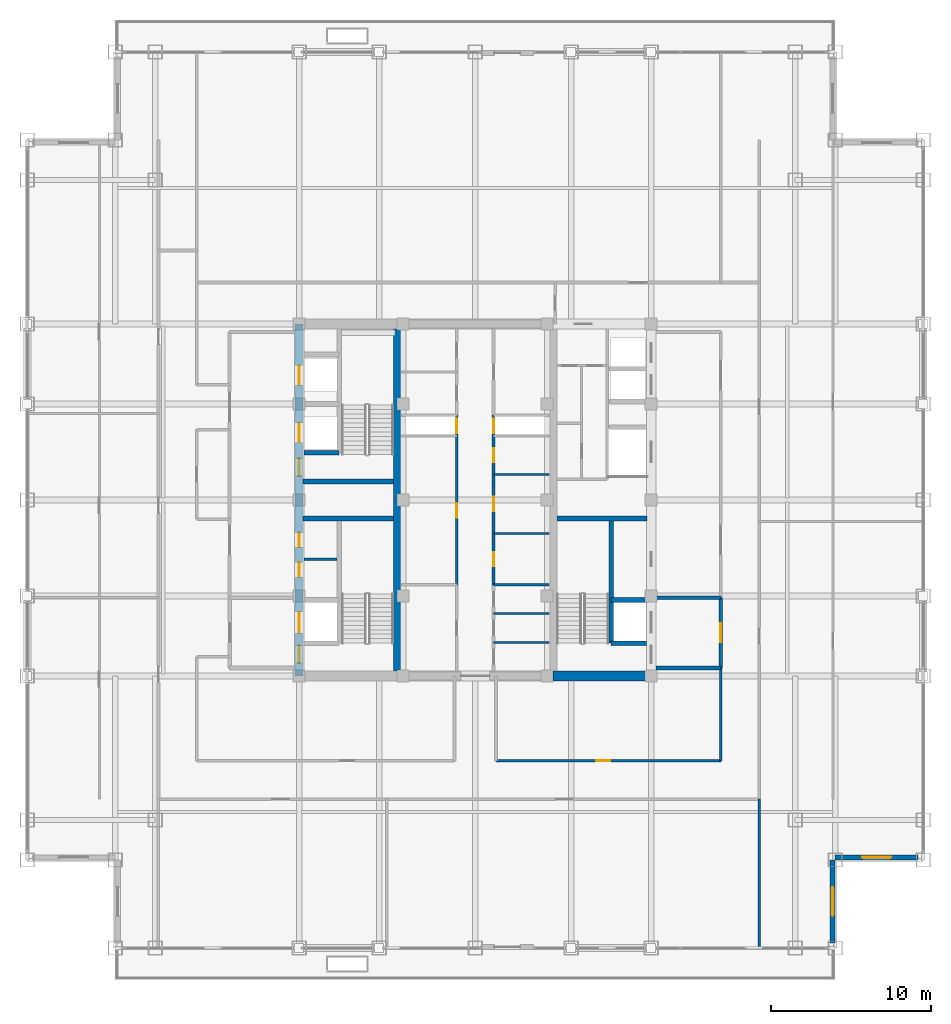
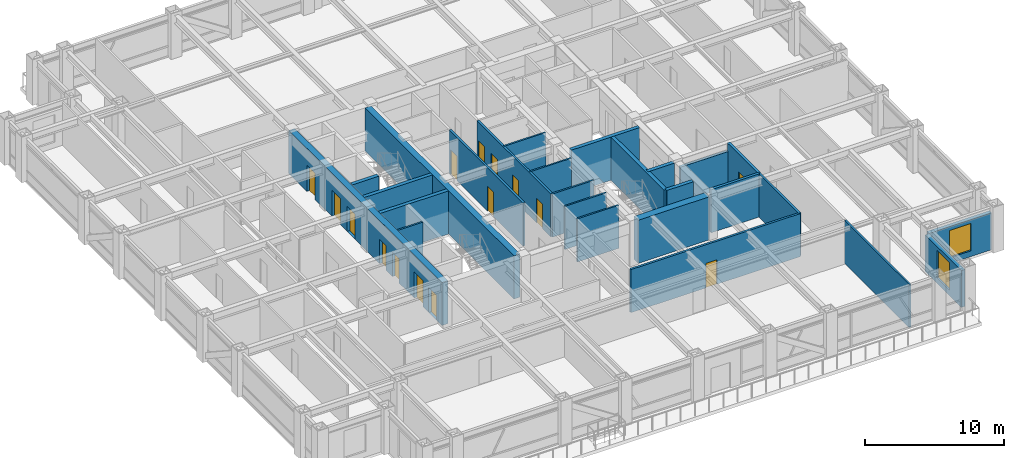
# One storey, part 27 of 32: 26 walls, 15 doors, 2 windows, 17 openings.
"""IFC4 building model written with IfcOpenShell, lengths in metres."""

from ifc_helpers import new_model, si_unit, direction, frame, frame_2d, origin, place, context, subcontext, project, spatial, rectangle, extrude, source, transform, mapped, material, layer, layer_set, type_object, element, fill, save


model = new_model("IFC4")

# Units and contexts
model_context = context("Model", 3, precision=1e-05, world=origin(), true_north=direction((0.0, 1.0)))
body_context = subcontext(model_context, "Body", "Model", "MODEL_VIEW")
ifc_project = project(units=[si_unit("LENGTHUNIT", "METRE"), si_unit("AREAUNIT", "SQUARE_METRE"), si_unit("VOLUMEUNIT", "CUBIC_METRE"), si_unit("PLANEANGLEUNIT", "RADIAN"), si_unit("MASSUNIT", "GRAM", prefix="KILO")], contexts=[model_context])

# Site, building, storey
site_placement = place(None, origin())
site = spatial("IfcSite", under=ifc_project, at=site_placement, CompositionType="ELEMENT")
building_placement = place(site_placement, origin())
building = spatial("IfcBuilding", under=site, at=building_placement, Name="Khorayat Bourse Tower", CompositionType="ELEMENT")
storey_placement = place(building_placement, frame((0.0, 0.0, 273.5)))
storey = spatial("IfcBuildingStorey", under=building, at=storey_placement, Name="L64", CompositionType="ELEMENT", Elevation=273.5)

# Wall, openings, doors
ifc_material_1 = material(Name="Concrete C52/65", Category="concrete")
ifc_layer_1 = layer(ifc_material_1, 0.5)
ifc_layer_set_1 = layer_set([ifc_layer_1], Name="Concrete C52/65")
wall_type_1 = type_object("IfcWallType", Name="WAL-CORE-500", PredefinedType="SHEAR", material=ifc_layer_set_1)
shared_shape_1 = source(origin(), body_context, "Body", "SweptSolid", [
    extrude(rectangle(XDim=22.0, YDim=0.5, at=frame_2d((11.0, 0.0))), origin(), (0.0, 0.0, 1.0), 3.780029296875),
])
wall_1_placement = place(storey_placement, frame((-11.0, -11.0, 0.0), z_axis=(0.0, 0.0, 1.0), x_axis=(0.0, 1.0, 0.0)))
wall_1 = element("IfcWall", 1, at=wall_1_placement, inside=storey, type_object=wall_type_1, Name="L64 Core Shear Wall CORE-W", PredefinedType="SHEAR", context=body_context, shape_type="MappedRepresentation", body=[
    mapped(shared_shape_1, transform((0.0, 0.0, 0.0), scale=1.0)),
])
shared_shape_2 = source(origin(), body_context, "Body", "SweptSolid", [
    extrude(rectangle(XDim=1.10009765625, YDim=2.199951171875, at=frame_2d((0.550048828125, 1.10009765625))), frame((0.0, 0.260009765625, 0.0), z_axis=(0.0, -1.0, 0.0), x_axis=(1.0, 0.0, 0.0)), (0.0, 0.0, 1.0), 0.52001953125),
])
opening_1_placement = place(wall_1_placement, frame((0.800048828125, 0.0, 0.0)))
opening_1 = element("IfcOpeningElement", 2, at=opening_1_placement, cuts=wall_1, Name="Opening DI-01", PredefinedType="OPENING", context=body_context, shape_type="MappedRepresentation", body=[
    mapped(shared_shape_2, transform((0.0, 0.0, 0.0), scale=1.0)),
])
opening_2_placement = place(wall_1_placement, frame((12.5, 0.0, 0.0)))
opening_2 = element("IfcOpeningElement", 3, at=opening_2_placement, cuts=wall_1, Name="Opening DI-01", PredefinedType="OPENING", context=body_context, shape_type="MappedRepresentation", body=[
    mapped(shared_shape_2, transform((0.0, 0.0, 0.0), scale=1.0)),
])
shared_shape_3 = source(origin(), body_context, "Body", "SweptSolid", [
    extrude(rectangle(XDim=0.89990234375, YDim=2.14990234375, at=frame_2d((0.449951171875, 1.074951171875))), frame((0.0, 0.260009765625, 0.0), z_axis=(0.0, -1.0, 0.0), x_axis=(1.0, 0.0, 0.0)), (0.0, 0.0, 1.0), 0.52001953125),
])
opening_3_placement = place(wall_1_placement, frame((6.199951171875, 0.0, 0.0)))
opening_3 = element("IfcOpeningElement", 4, at=opening_3_placement, cuts=wall_1, Name="Opening DI-06", PredefinedType="OPENING", context=body_context, shape_type="MappedRepresentation", body=[
    mapped(shared_shape_3, transform((0.0, 0.0, 0.0), scale=1.0)),
])
opening_4_placement = place(wall_1_placement, frame((8.050048828125, 0.0, 0.0)))
opening_4 = element("IfcOpeningElement", 5, at=opening_4_placement, cuts=wall_1, Name="Opening DI-06", PredefinedType="OPENING", context=body_context, shape_type="MappedRepresentation", body=[
    mapped(shared_shape_3, transform((0.0, 0.0, 0.0), scale=1.0)),
])
shared_shape_4 = source(origin(), body_context, "Body", "SweptSolid", [
    extrude(rectangle(XDim=1.199951171875, YDim=2.300048828125, at=frame_2d((0.60009765625, 1.14990234375))), frame((0.0, 0.260009765625, 0.0), z_axis=(0.0, -1.0, 0.0), x_axis=(1.0, 0.0, 0.0)), (0.0, 0.0, 1.0), 0.52001953125),
])
opening_5_placement = place(wall_1_placement, frame((14.60009765625, 0.0, 0.0)))
opening_5 = element("IfcOpeningElement", 6, at=opening_5_placement, cuts=wall_1, Name="Opening LD-01", PredefinedType="OPENING", context=body_context, shape_type="MappedRepresentation", body=[
    mapped(shared_shape_4, transform((0.0, 0.0, 0.0), scale=1.0)),
])
opening_6_placement = place(wall_1_placement, frame((18.199951171875, 0.0, 0.0)))
opening_6 = element("IfcOpeningElement", 7, at=opening_6_placement, cuts=wall_1, Name="Opening LD-01", PredefinedType="OPENING", context=body_context, shape_type="MappedRepresentation", body=[
    mapped(shared_shape_4, transform((0.0, 0.0, 0.0), scale=1.0)),
])
shared_shape_5 = source(origin(), body_context, "Body", "SweptSolid", [
    extrude(rectangle(XDim=1.300048828125, YDim=2.300048828125, at=frame_2d((0.64990234375, 1.14990234375))), frame((0.0, 0.260009765625, 0.0), z_axis=(0.0, -1.0, 0.0), x_axis=(1.0, 0.0, 0.0)), (0.0, 0.0, 1.0), 0.52001953125),
])
opening_7_placement = place(wall_1_placement, frame((2.699951171875, 0.0, 0.0)))
opening_7 = element("IfcOpeningElement", 8, at=opening_7_placement, cuts=wall_1, Name="Opening LD-02", PredefinedType="OPENING", context=body_context, shape_type="MappedRepresentation", body=[
    mapped(shared_shape_5, transform((0.0, 0.0, 0.0), scale=1.0)),
])
ifc_material_2 = material(Name="Fire-rated steel acoustic leaf", Category="steel")
door_type_1 = type_object("IfcDoorType", Name="DR-INT-STAIR-1100", OperationType="NOTDEFINED", PredefinedType="DOOR", material=ifc_material_2)
shared_shape_6 = source(origin(), body_context, "Body", "SweptSolid", [
    extrude(rectangle(XDim=1.10009765625, YDim=2.199951171875, at=frame_2d((0.550048828125, 1.10009765625))), frame((0.0, 0.02490234375, 0.0), z_axis=(0.0, -1.0, 0.0), x_axis=(1.0, 0.0, 0.0)), (0.0, 0.0, 1.0), 0.050048828125),
])
door_1_placement = place(opening_1_placement, origin())
door_1 = element("IfcDoor", 9, at=door_1_placement, inside=storey, type_object=door_type_1, Name="L64 Exit Stair 1 Door", OperationType="SINGLE_SWING_RIGHT", OverallHeight=2.199951171875, OverallWidth=1.10009765625, PredefinedType="DOOR", context=body_context, shape_type="MappedRepresentation", body=[
    mapped(shared_shape_6, transform((0.0, 0.0, 0.0), scale=1.0)),
])
fill(opening_1, door_1)
door_2_placement = place(opening_2_placement, origin())
door_2 = element("IfcDoor", 10, at=door_2_placement, inside=storey, type_object=door_type_1, Name="L64 Exit Stair 2 Door", OperationType="SINGLE_SWING_RIGHT", OverallHeight=2.199951171875, OverallWidth=1.10009765625, PredefinedType="DOOR", context=body_context, shape_type="MappedRepresentation", body=[
    mapped(shared_shape_6, transform((0.0, 0.0, 0.0), scale=1.0)),
])
fill(opening_2, door_2)
ifc_material_3 = material(Name="Moisture-resistant laminate washroom door")
door_type_2 = type_object("IfcDoorType", Name="DR-INT-WC-900", OperationType="NOTDEFINED", PredefinedType="DOOR", material=ifc_material_3)
shared_shape_7 = source(origin(), body_context, "Body", "SweptSolid", [
    extrude(rectangle(XDim=0.89990234375, YDim=2.14990234375, at=frame_2d((0.449951171875, 1.074951171875))), frame((0.0, 0.02490234375, 0.0), z_axis=(0.0, -1.0, 0.0), x_axis=(1.0, 0.0, 0.0)), (0.0, 0.0, 1.0), 0.050048828125),
])
door_3_placement = place(opening_3_placement, origin())
door_3 = element("IfcDoor", 11, at=door_3_placement, inside=storey, type_object=door_type_2, Name="L64 Electrical Plant Room Door", OperationType="SINGLE_SWING_RIGHT", OverallHeight=2.14990234375, OverallWidth=0.89990234375, PredefinedType="DOOR", context=body_context, shape_type="MappedRepresentation", body=[
    mapped(shared_shape_7, transform((0.0, 0.0, 0.0), scale=1.0)),
])
fill(opening_3, door_3)
door_4_placement = place(opening_4_placement, origin())
door_4 = element("IfcDoor", 12, at=door_4_placement, inside=storey, type_object=door_type_2, Name="L64 Cleaner Storage Room Door", OperationType="SINGLE_SWING_LEFT", OverallHeight=2.14990234375, OverallWidth=0.89990234375, PredefinedType="DOOR", context=body_context, shape_type="MappedRepresentation", body=[
    mapped(shared_shape_7, transform((0.0, 0.0, 0.0), scale=1.0)),
])
fill(opening_4, door_4)
ifc_material_4 = material(Name="Brushed bronze stainless-steel sliding door", Category="steel")
door_type_3 = type_object("IfcDoorType", Name="DR-LIFT-PASS-1200", OperationType="NOTDEFINED", PredefinedType="DOOR", material=ifc_material_4)
shared_shape_8 = source(origin(), body_context, "Body", "SweptSolid", [
    extrude(rectangle(XDim=1.199951171875, YDim=2.300048828125, at=frame_2d((0.60009765625, 1.14990234375))), frame((0.0, 0.02490234375, 0.0), z_axis=(0.0, -1.0, 0.0), x_axis=(1.0, 0.0, 0.0)), (0.0, 0.0, 1.0), 0.050048828125),
])
door_5_placement = place(opening_5_placement, origin())
door_5 = element("IfcDoor", 13, at=door_5_placement, inside=storey, type_object=door_type_3, Name="L64 Lift PL-H1 Sliding Landing Door", OperationType="SLIDING_TO_LEFT", OverallHeight=2.300048828125, OverallWidth=1.199951171875, PredefinedType="DOOR", context=body_context, shape_type="MappedRepresentation", body=[
    mapped(shared_shape_8, transform((0.0, 0.0, 0.0), scale=1.0)),
])
fill(opening_5, door_5)
door_6_placement = place(opening_6_placement, origin())
door_6 = element("IfcDoor", 14, at=door_6_placement, inside=storey, type_object=door_type_3, Name="L64 Lift PL-H2 Sliding Landing Door", OperationType="SLIDING_TO_LEFT", OverallHeight=2.300048828125, OverallWidth=1.199951171875, PredefinedType="DOOR", context=body_context, shape_type="MappedRepresentation", body=[
    mapped(shared_shape_8, transform((0.0, 0.0, 0.0), scale=1.0)),
])
fill(opening_6, door_6)
ifc_material_5 = material(Name="Fire-rated stainless-steel sliding landing door", Category="steel")
door_type_4 = type_object("IfcDoorType", Name="DR-LIFT-FF-1300", OperationType="NOTDEFINED", PredefinedType="DOOR", material=ifc_material_5)
shared_shape_9 = source(origin(), body_context, "Body", "SweptSolid", [
    extrude(rectangle(XDim=1.300048828125, YDim=2.300048828125, at=frame_2d((0.64990234375, 1.14990234375))), frame((0.0, 0.02490234375, 0.0), z_axis=(0.0, -1.0, 0.0), x_axis=(1.0, 0.0, 0.0)), (0.0, 0.0, 1.0), 0.050048828125),
])
door_7_placement = place(opening_7_placement, origin())
door_7 = element("IfcDoor", 15, at=door_7_placement, inside=storey, type_object=door_type_4, Name="L64 Lift FFL-01 Sliding Landing Door", OperationType="SLIDING_TO_LEFT", OverallHeight=2.300048828125, OverallWidth=1.300048828125, PredefinedType="DOOR", context=body_context, shape_type="MappedRepresentation", body=[
    mapped(shared_shape_9, transform((0.0, 0.0, 0.0), scale=1.0)),
])
fill(opening_7, door_7)

# Walls
shared_shape_10 = source(origin(), body_context, "Body", "SweptSolid", [
    extrude(rectangle(XDim=21.39990234375, YDim=0.5, at=frame_2d((10.699951171875, 0.0))), origin(), (0.0, 0.0, 1.0), 3.780029296875),
])
wall_2_placement = place(storey_placement, frame((-4.85009765625, -10.699951171875, 0.0), z_axis=(0.0, 0.0, 1.0), x_axis=(0.0, 1.0, 0.0)))
element("IfcWall", 16, at=wall_2_placement, inside=storey, type_object=wall_type_1, Name="L64 Core Shear Wall PIER-W", PredefinedType="SHEAR", context=body_context, shape_type="MappedRepresentation", body=[
    mapped(shared_shape_10, transform((0.0, 0.0, 0.0), scale=1.0)),
])
ifc_material_6 = material(Name="Concrete C60/75", Category="concrete")
ifc_layer_2 = layer(ifc_material_6, 0.60009765625)
ifc_layer_set_2 = layer_set([ifc_layer_2], Name="Concrete C60/75")
wall_type_2 = type_object("IfcWallType", Name="WAL-CORE-600", PredefinedType="SHEAR", material=ifc_layer_set_2)
shared_shape_11 = source(origin(), body_context, "Body", "SweptSolid", [
    extrude(rectangle(XDim=5.89990234375, YDim=0.60009765625, at=frame_2d((2.949951171875, 0.0))), origin(), (0.0, 0.0, 1.0), 3.780029296875),
])
wall_3_placement = place(storey_placement, frame((4.85009765625, -11.0, 0.0), z_axis=(0.0, 0.0, 1.0), x_axis=(1.0, 0.0, 0.0)))
element("IfcWall", 17, at=wall_3_placement, inside=storey, type_object=wall_type_2, Name="L64 Core Shear Wall PIER-ES", PredefinedType="SHEAR", context=body_context, shape_type="MappedRepresentation", body=[
    mapped(shared_shape_11, transform((0.0, 0.0, 0.0), scale=1.0)),
])
ifc_material_7 = material(Name="Concrete C50/60", Category="concrete")
ifc_layer_3 = layer(ifc_material_7, 0.300048828125)
ifc_layer_set_3 = layer_set([ifc_layer_3], Name="Concrete C50/60")
wall_type_3 = type_object("IfcWallType", Name="WAL-SHAFT-300", PredefinedType="SHEAR", material=ifc_layer_set_3)
shared_shape_12 = source(origin(), body_context, "Body", "SweptSolid", [
    extrude(rectangle(XDim=5.64990234375, YDim=0.300048828125, at=frame_2d((2.824951171875, 0.0))), origin(), (0.0, 0.0, 1.0), 3.780029296875),
])
for number, where, z_axis, x_axis, name in (
    (18, (-10.75, -1.14990234375, 0.0), (0.0, 0.0, 1.0), (1.0, 0.0, 0.0), "L64 Core Shear Wall ST1-DIV"),
    (19, (-10.75, 1.14990234375, 0.0), (0.0, 0.0, 1.0), (1.0, 0.0, 0.0), "L64 Core Shear Wall ST2-DIV"),
    (20, (5.10009765625, -1.14990234375, 0.0), (0.0, 0.0, 1.0), (1.0, 0.0, 0.0), "L64 Core Shear Wall ST3-DIV"),
):
    element("IfcWall", number, at=place(storey_placement, frame(where, z_axis=z_axis, x_axis=x_axis)), inside=storey, type_object=wall_type_3, Name=name, PredefinedType="SHEAR", context=body_context, shape_type="MappedRepresentation", body=[
        mapped(shared_shape_12, transform((0.0, 0.0, 0.0), scale=1.0)),
    ])

# Wall, opening, window
ifc_material_8 = material(Name="Precast concrete C45/55", Category="concrete")
ifc_layer_4 = layer(ifc_material_8, 0.320068359375)
ifc_layer_set_4 = layer_set([ifc_layer_4], Name="Precast concrete C45/55")
wall_type_4 = type_object("IfcWallType", Name="WAL-EXT-STONE-320", PredefinedType="STANDARD", material=ifc_layer_set_4)
shared_shape_13 = source(origin(), body_context, "Body", "SweptSolid", [
    extrude(rectangle(XDim=5.179931640625, YDim=0.320068359375, at=frame_2d((2.58984375, 0.0))), origin(), (0.0, 0.0, 1.0), 3.23095703125),
])
wall_4_placement = place(storey_placement, frame((22.340087890625, -27.679931640625, 0.0), z_axis=(0.0, 0.0, 1.0), x_axis=(0.0, 1.0, 0.0)))
wall_4 = element("IfcWall", 21, at=wall_4_placement, inside=storey, type_object=wall_type_4, Name="L64 Re-Entrant Notch Limestone Wall SE-V", PredefinedType="STANDARD", context=body_context, shape_type="MappedRepresentation", body=[
    mapped(shared_shape_13, transform((0.0, 0.0, 0.0), scale=1.0)),
])
shared_shape_14 = source(origin(), body_context, "Body", "SweptSolid", [
    extrude(rectangle(XDim=1.800048828125, YDim=2.39990234375, at=frame_2d((0.89990234375, 1.199951171875))), frame((0.0, 0.169921875, 0.0), z_axis=(0.0, -1.0, 0.0), x_axis=(1.0, 0.0, 0.0)), (0.0, 0.0, 1.0), 0.340087890625),
])
opening_8_placement = place(wall_4_placement, frame((1.68994140625, 0.0, 0.5)))
opening_8 = element("IfcOpeningElement", 22, at=opening_8_placement, cuts=wall_4, Name="Opening WN-04", PredefinedType="OPENING", context=body_context, shape_type="MappedRepresentation", body=[
    mapped(shared_shape_14, transform((0.0, 0.0, 0.0), scale=1.0)),
])
ifc_material_9 = material(Name="Low-E acoustic laminated double glazing", Category="glass")
window_type = type_object("IfcWindowType", Name="WIN-NOTCH-1800x2400", PartitioningType="SINGLE_PANEL", PredefinedType="WINDOW", material=ifc_material_9)
shared_shape_15 = source(origin(), body_context, "Body", "SweptSolid", [
    extrude(rectangle(XDim=1.800048828125, YDim=2.39990234375, at=frame_2d((0.89990234375, 1.199951171875))), frame((0.0, 0.030029296875, 0.0), z_axis=(0.0, -1.0, 0.0), x_axis=(1.0, 0.0, 0.0)), (0.0, 0.0, 1.0), 0.06005859375),
])
window_1_placement = place(opening_8_placement, origin())
window_1 = element("IfcWindow", 23, at=window_1_placement, inside=storey, type_object=window_type, Name="L64 Facade Window 1", OverallHeight=2.39990234375, OverallWidth=1.800048828125, PartitioningType="SINGLE_PANEL", PredefinedType="WINDOW", context=body_context, shape_type="MappedRepresentation", body=[
    mapped(shared_shape_15, transform((0.0, 0.0, 0.0), scale=1.0)),
])
fill(opening_8, window_1)

wall_5_placement = place(storey_placement, frame((22.5, -22.340087890625, 0.0), z_axis=(0.0, 0.0, 1.0), x_axis=(1.0, 0.0, 0.0)))
wall_5 = element("IfcWall", 24, at=wall_5_placement, inside=storey, type_object=wall_type_4, Name="L64 Re-Entrant Notch Limestone Wall SE-H", PredefinedType="STANDARD", context=body_context, shape_type="MappedRepresentation", body=[
    mapped(shared_shape_13, transform((0.0, 0.0, 0.0), scale=1.0)),
])
opening_9_placement = place(wall_5_placement, frame((1.68994140625, 0.0, 0.5)))
opening_9 = element("IfcOpeningElement", 25, at=opening_9_placement, cuts=wall_5, Name="Opening WN-04", PredefinedType="OPENING", context=body_context, shape_type="MappedRepresentation", body=[
    mapped(shared_shape_14, transform((0.0, 0.0, 0.0), scale=1.0)),
])
window_2_placement = place(opening_9_placement, origin())
window_2 = element("IfcWindow", 26, at=window_2_placement, inside=storey, type_object=window_type, Name="L64 Facade Window 1", OverallHeight=2.39990234375, OverallWidth=1.800048828125, PartitioningType="SINGLE_PANEL", PredefinedType="WINDOW", context=body_context, shape_type="MappedRepresentation", body=[
    mapped(shared_shape_15, transform((0.0, 0.0, 0.0), scale=1.0)),
])
fill(opening_9, window_2)

# Walls
ifc_material_10 = material(Name="Aerated concrete blockwork", Category="masonry")
ifc_layer_5 = layer(ifc_material_10, 0.219970703125)
ifc_layer_set_5 = layer_set([ifc_layer_5], Name="Aerated concrete blockwork")
wall_type_5 = type_object("IfcWallType", Name="WAL-PART-FF-220", PredefinedType="PARTITIONING", material=ifc_layer_set_5)
shared_shape_16 = source(origin(), body_context, "Body", "SweptSolid", [
    extrude(rectangle(XDim=4.050048828125, YDim=0.219970703125, at=frame_2d((2.02490234375, 0.0))), origin(), (0.0, 0.0, 1.0), 3.0849609375),
])
wall_6_placement = place(storey_placement, frame((11.300048828125, -6.10009765625, 0.0), z_axis=(0.0, 0.0, 1.0), x_axis=(1.0, 0.0, 0.0)))
element("IfcWall", 27, at=wall_6_placement, inside=storey, type_object=wall_type_5, Name="L64 Partition WAL-L64-FFLE-N", PredefinedType="PARTITIONING", context=body_context, shape_type="MappedRepresentation", body=[
    mapped(shared_shape_16, transform((0.0, 0.0, 0.0), scale=1.0)),
])
shared_shape_17 = source(origin(), body_context, "Body", "SweptSolid", [
    extrude(rectangle(XDim=7.800048828125, YDim=0.300048828125, at=frame_2d((3.89990234375, 0.0))), origin(), (0.0, 0.0, 1.0), 3.780029296875),
])
wall_7_placement = place(storey_placement, frame((8.5, -8.949951171875, 0.0), z_axis=(0.0, 0.0, 1.0), x_axis=(0.0, 1.0, 0.0)))
element("IfcWall", 28, at=wall_7_placement, inside=storey, type_object=wall_type_3, Name="L64 Partition WAL-L64-EPIER-SP", PredefinedType="SHEAR", context=body_context, shape_type="MappedRepresentation", body=[
    mapped(shared_shape_17, transform((0.0, 0.0, 0.0), scale=1.0)),
])
shared_shape_18 = source(origin(), body_context, "Body", "SweptSolid", [
    extrude(rectangle(XDim=2.199951171875, YDim=0.300048828125, at=frame_2d((1.10009765625, 0.0))), origin(), (0.0, 0.0, 1.0), 3.780029296875),
])
for number, where, z_axis, x_axis, name in (
    (29, (-10.699951171875, 2.949951171875, 0.0), (0.0, 0.0, 1.0), (1.0, 0.0, 0.0), "L64 Partition WAL-L64-WPIER-H1S"),
    (30, (8.5, -8.949951171875, 0.0), (0.0, 0.0, 1.0), (1.0, 0.0, 0.0), "L64 Partition WAL-L64-EPIER-FF2S"),
    (31, (8.5, -6.25, 0.0), (0.0, 0.0, 1.0), (1.0, 0.0, 0.0), "L64 Partition WAL-L64-EPIER-FF2N"),
):
    element("IfcWall", number, at=place(storey_placement, frame(where, z_axis=z_axis, x_axis=x_axis)), inside=storey, type_object=wall_type_3, Name=name, PredefinedType="SHEAR", context=body_context, shape_type="MappedRepresentation", body=[
        mapped(shared_shape_18, transform((0.0, 0.0, 0.0), scale=1.0)),
    ])
ifc_material_11 = material(Name="Gypsum plasterboard twin-frame partition")
ifc_layer_6 = layer(ifc_material_11, 0.14990234375)
ifc_layer_set_6 = layer_set([ifc_layer_6], Name="Gypsum plasterboard twin-frame partition")
wall_type_6 = type_object("IfcWallType", Name="WAL-PART-SUITE-150", PredefinedType="PARTITIONING", material=ifc_layer_set_6)
shared_shape_19 = source(origin(), body_context, "Body", "SweptSolid", [
    extrude(rectangle(XDim=2.050048828125, YDim=0.14990234375, at=frame_2d((1.02490234375, 0.0))), origin(), (0.0, 0.0, 1.0), 3.780029296875),
])
wall_8_placement = place(storey_placement, frame((-10.699951171875, -3.699951171875, 0.0), z_axis=(0.0, 0.0, 1.0), x_axis=(1.0, 0.0, 0.0)))
element("IfcWall", 32, at=wall_8_placement, inside=storey, type_object=wall_type_6, Name="L64 Partition WAL-L64-WSRV-D1", PredefinedType="PARTITIONING", context=body_context, shape_type="MappedRepresentation", body=[
    mapped(shared_shape_19, transform((0.0, 0.0, 0.0), scale=1.0)),
])
shared_shape_20 = source(origin(), body_context, "Body", "SweptSolid", [
    extrude(rectangle(XDim=4.050048828125, YDim=0.219970703125, at=frame_2d((2.02490234375, 0.0))), origin(), (0.0, 0.0, 1.0), 3.780029296875),
])
wall_9_placement = place(storey_placement, frame((11.300048828125, -10.5, 0.0), z_axis=(0.0, 0.0, 1.0), x_axis=(1.0, 0.0, 0.0)))
element("IfcWall", 33, at=wall_9_placement, inside=storey, type_object=wall_type_5, Name="L64 Partition WAL-L64-FFLE-S", PredefinedType="PARTITIONING", context=body_context, shape_type="MappedRepresentation", body=[
    mapped(shared_shape_20, transform((0.0, 0.0, 0.0), scale=1.0)),
])

# Wall, opening, door
shared_shape_21 = source(origin(), body_context, "Body", "SweptSolid", [
    extrude(rectangle(XDim=4.39990234375, YDim=0.219970703125, at=frame_2d((2.199951171875, 0.0))), origin(), (0.0, 0.0, 1.0), 3.780029296875),
])
wall_10_placement = place(storey_placement, frame((15.35009765625, -10.5, 0.0), z_axis=(0.0, 0.0, 1.0), x_axis=(0.0, 1.0, 0.0)))
wall_10 = element("IfcWall", 34, at=wall_10_placement, inside=storey, type_object=wall_type_5, Name="L64 Partition WAL-L64-FFLE-E", PredefinedType="PARTITIONING", context=body_context, shape_type="MappedRepresentation", body=[
    mapped(shared_shape_21, transform((0.0, 0.0, 0.0), scale=1.0)),
])
shared_shape_22 = source(origin(), body_context, "Body", "SweptSolid", [
    extrude(rectangle(XDim=1.199951171875, YDim=2.199951171875, at=frame_2d((0.60009765625, 1.10009765625))), frame((0.0, 0.119873046875, 0.0), z_axis=(0.0, -1.0, 0.0), x_axis=(1.0, 0.0, 0.0)), (0.0, 0.0, 1.0), 0.239990234375),
])
opening_10_placement = place(wall_10_placement, frame((1.60009765625, 0.0, 0.0)))
opening_10 = element("IfcOpeningElement", 35, at=opening_10_placement, cuts=wall_10, Name="Opening DI-02", PredefinedType="OPENING", context=body_context, shape_type="MappedRepresentation", body=[
    mapped(shared_shape_22, transform((0.0, 0.0, 0.0), scale=1.0)),
])
ifc_material_12 = material(Name="Fire-rated steel double-seal leaf", Category="steel")
door_type_5 = type_object("IfcDoorType", Name="DR-INT-FFLOBBY-1200", OperationType="NOTDEFINED", PredefinedType="DOOR", material=ifc_material_12)
shared_shape_23 = source(origin(), body_context, "Body", "SweptSolid", [
    extrude(rectangle(XDim=1.199951171875, YDim=2.199951171875, at=frame_2d((0.60009765625, 1.10009765625))), frame((0.0, 0.02490234375, 0.0), z_axis=(0.0, -1.0, 0.0), x_axis=(1.0, 0.0, 0.0)), (0.0, 0.0, 1.0), 0.050048828125),
])
door_8_placement = place(opening_10_placement, origin())
door_8 = element("IfcDoor", 36, at=door_8_placement, inside=storey, type_object=door_type_5, Name="L64 East Firefighting Lobby Door", OperationType="SINGLE_SWING_RIGHT", OverallHeight=2.199951171875, OverallWidth=1.199951171875, PredefinedType="DOOR", context=body_context, shape_type="MappedRepresentation", body=[
    mapped(shared_shape_23, transform((0.0, 0.0, 0.0), scale=1.0)),
])
fill(opening_10, door_8)

# Walls
shared_shape_24 = source(origin(), body_context, "Body", "SweptSolid", [
    extrude(rectangle(XDim=3.4501953125, YDim=0.14990234375, at=frame_2d((1.72509765625, 0.0))), origin(), (0.0, 0.0, 1.0), 3.780029296875),
])
wall_11_placement = place(storey_placement, frame((1.14990234375, -5.300048828125, 0.0), z_axis=(0.0, 0.0, 1.0), x_axis=(1.0, 0.0, 0.0)))
element("IfcWall", 37, at=wall_11_placement, inside=storey, type_object=wall_type_6, Name="L64 Partition WAL-L64-FB1-NE", PredefinedType="PARTITIONING", context=body_context, shape_type="MappedRepresentation", body=[
    mapped(shared_shape_24, transform((0.0, 0.0, 0.0), scale=1.0)),
])
ifc_material_13 = material(Name="Moisture-resistant masonry partition", Category="masonry")
ifc_layer_7 = layer(ifc_material_13, 0.139892578125)
ifc_layer_set_7 = layer_set([ifc_layer_7], Name="Moisture-resistant masonry partition")
wall_type_7 = type_object("IfcWallType", Name="WAL-PART-WET-140", PredefinedType="PARTITIONING", material=ifc_layer_set_7)
shared_shape_25 = source(origin(), body_context, "Body", "SweptSolid", [
    extrude(rectangle(XDim=3.4501953125, YDim=0.139892578125, at=frame_2d((1.72509765625, 0.0))), origin(), (0.0, 0.0, 1.0), 3.780029296875),
])
for number, where, z_axis, x_axis, name in (
    (38, (1.14990234375, -8.89990234375, 0.0), (0.0, 0.0, 1.0), (1.0, 0.0, 0.0), "L64 Partition WAL-L64-FB1E-D1"),
    (39, (1.14990234375, -7.10009765625, 0.0), (0.0, 0.0, 1.0), (1.0, 0.0, 0.0), "L64 Partition WAL-L64-FB1E-D2"),
    (40, (1.14990234375, -2.10009765625, 0.0), (0.0, 0.0, 1.0), (1.0, 0.0, 0.0), "L64 Partition WAL-L64-CME-D1"),
    (41, (1.14990234375, 1.60009765625, 0.0), (0.0, 0.0, 1.0), (1.0, 0.0, 0.0), "L64 Partition WAL-L64-CME-D2"),
):
    element("IfcWall", number, at=place(storey_placement, frame(where, z_axis=z_axis, x_axis=x_axis)), inside=storey, type_object=wall_type_7, Name=name, PredefinedType="PARTITIONING", context=body_context, shape_type="MappedRepresentation", body=[
        mapped(shared_shape_25, transform((0.0, 0.0, 0.0), scale=1.0)),
    ])

# Wall, openings, doors
ifc_material_14 = material(Name="Gypsum plasterboard acoustic stud wall")
ifc_layer_8 = layer(ifc_material_14, 0.179931640625)
ifc_layer_set_8 = layer_set([ifc_layer_8], Name="Gypsum plasterboard acoustic stud wall")
wall_type_8 = type_object("IfcWallType", Name="WAL-PART-CORR-180", PredefinedType="PARTITIONING", material=ifc_layer_set_8)
shared_shape_26 = source(origin(), body_context, "Body", "SweptSolid", [
    extrude(rectangle(XDim=10.60009765625, YDim=0.179931640625, at=frame_2d((5.300048828125, 0.0))), origin(), (0.0, 0.0, 1.0), 3.780029296875),
])
wall_12_placement = place(storey_placement, frame((-1.14990234375, -5.300048828125, 0.0), z_axis=(0.0, 0.0, 1.0), x_axis=(0.0, 1.0, 0.0)))
wall_12 = element("IfcWall", 42, at=wall_12_placement, inside=storey, type_object=wall_type_8, Name="L64 Partition WAL-L64-CMW-L", PredefinedType="PARTITIONING", context=body_context, shape_type="MappedRepresentation", body=[
    mapped(shared_shape_26, transform((0.0, 0.0, 0.0), scale=1.0)),
])
shared_shape_27 = source(origin(), body_context, "Body", "SweptSolid", [
    extrude(rectangle(XDim=0.89990234375, YDim=2.14990234375, at=frame_2d((0.449951171875, 1.074951171875))), frame((0.0, 0.099853515625, 0.0), z_axis=(0.0, -1.0, 0.0), x_axis=(1.0, 0.0, 0.0)), (0.0, 0.0, 1.0), 0.199951171875),
])
opening_11_placement = place(wall_12_placement, frame((4.199951171875, 0.0, 0.0)))
opening_11 = element("IfcOpeningElement", 43, at=opening_11_placement, cuts=wall_12, Name="Opening DI-06", PredefinedType="OPENING", context=body_context, shape_type="MappedRepresentation", body=[
    mapped(shared_shape_27, transform((0.0, 0.0, 0.0), scale=1.0)),
])
opening_12_placement = place(wall_12_placement, frame((9.47509765625, 0.0, 0.0)))
opening_12 = element("IfcOpeningElement", 44, at=opening_12_placement, cuts=wall_12, Name="Opening DI-06", PredefinedType="OPENING", context=body_context, shape_type="MappedRepresentation", body=[
    mapped(shared_shape_27, transform((0.0, 0.0, 0.0), scale=1.0)),
])
door_9_placement = place(opening_11_placement, origin())
door_9 = element("IfcDoor", 45, at=door_9_placement, inside=storey, type_object=door_type_2, Name="L64 Male Core Washroom Door", OperationType="SINGLE_SWING_RIGHT", OverallHeight=2.14990234375, OverallWidth=0.89990234375, PredefinedType="DOOR", context=body_context, shape_type="MappedRepresentation", body=[
    mapped(shared_shape_7, transform((0.0, 0.0, 0.0), scale=1.0)),
])
fill(opening_11, door_9)
door_10_placement = place(opening_12_placement, origin())
door_10 = element("IfcDoor", 46, at=door_10_placement, inside=storey, type_object=door_type_2, Name="L64 West Core Riser Door", OperationType="SINGLE_SWING_LEFT", OverallHeight=2.14990234375, OverallWidth=0.89990234375, PredefinedType="DOOR", context=body_context, shape_type="MappedRepresentation", body=[
    mapped(shared_shape_7, transform((0.0, 0.0, 0.0), scale=1.0)),
])
fill(opening_12, door_10)

wall_13_placement = place(storey_placement, frame((1.14990234375, -5.300048828125, 0.0), z_axis=(0.0, 0.0, 1.0), x_axis=(0.0, 1.0, 0.0)))
wall_13 = element("IfcWall", 47, at=wall_13_placement, inside=storey, type_object=wall_type_8, Name="L64 Partition WAL-L64-CME-L", PredefinedType="PARTITIONING", context=body_context, shape_type="MappedRepresentation", body=[
    mapped(shared_shape_26, transform((0.0, 0.0, 0.0), scale=1.0)),
])
opening_13_placement = place(wall_13_placement, frame((1.14990234375, 0.0, 0.0)))
opening_13 = element("IfcOpeningElement", 48, at=opening_13_placement, cuts=wall_13, Name="Opening DI-06", PredefinedType="OPENING", context=body_context, shape_type="MappedRepresentation", body=[
    mapped(shared_shape_27, transform((0.0, 0.0, 0.0), scale=1.0)),
])
opening_14_placement = place(wall_13_placement, frame((4.60009765625, 0.0, 0.0)))
opening_14 = element("IfcOpeningElement", 49, at=opening_14_placement, cuts=wall_13, Name="Opening DI-06", PredefinedType="OPENING", context=body_context, shape_type="MappedRepresentation", body=[
    mapped(shared_shape_27, transform((0.0, 0.0, 0.0), scale=1.0)),
])
opening_15_placement = place(wall_13_placement, frame((7.64990234375, 0.0, 0.0)))
opening_15 = element("IfcOpeningElement", 50, at=opening_15_placement, cuts=wall_13, Name="Opening DI-06", PredefinedType="OPENING", context=body_context, shape_type="MappedRepresentation", body=[
    mapped(shared_shape_27, transform((0.0, 0.0, 0.0), scale=1.0)),
])
opening_16_placement = place(wall_13_placement, frame((9.47509765625, 0.0, 0.0)))
opening_16 = element("IfcOpeningElement", 51, at=opening_16_placement, cuts=wall_13, Name="Opening DI-06", PredefinedType="OPENING", context=body_context, shape_type="MappedRepresentation", body=[
    mapped(shared_shape_27, transform((0.0, 0.0, 0.0), scale=1.0)),
])
door_11_placement = place(opening_13_placement, origin())
door_11 = element("IfcDoor", 52, at=door_11_placement, inside=storey, type_object=door_type_2, Name="L64 Female Core Washroom Door", OperationType="SINGLE_SWING_RIGHT", OverallHeight=2.14990234375, OverallWidth=0.89990234375, PredefinedType="DOOR", context=body_context, shape_type="MappedRepresentation", body=[
    mapped(shared_shape_7, transform((0.0, 0.0, 0.0), scale=1.0)),
])
fill(opening_13, door_11)
door_12_placement = place(opening_14_placement, origin())
door_12 = element("IfcDoor", 53, at=door_12_placement, inside=storey, type_object=door_type_2, Name="L64 Cleaners Store Door", OperationType="SINGLE_SWING_LEFT", OverallHeight=2.14990234375, OverallWidth=0.89990234375, PredefinedType="DOOR", context=body_context, shape_type="MappedRepresentation", body=[
    mapped(shared_shape_7, transform((0.0, 0.0, 0.0), scale=1.0)),
])
fill(opening_14, door_12)
door_13_placement = place(opening_15_placement, origin())
door_13 = element("IfcDoor", 54, at=door_13_placement, inside=storey, type_object=door_type_2, Name="L64 Meter and BMS Plant Room Door", OperationType="SINGLE_SWING_RIGHT", OverallHeight=2.14990234375, OverallWidth=0.89990234375, PredefinedType="DOOR", context=body_context, shape_type="MappedRepresentation", body=[
    mapped(shared_shape_7, transform((0.0, 0.0, 0.0), scale=1.0)),
])
fill(opening_15, door_13)
door_14_placement = place(opening_16_placement, origin())
door_14 = element("IfcDoor", 55, at=door_14_placement, inside=storey, type_object=door_type_2, Name="L64 East Core Riser Door", OperationType="SINGLE_SWING_RIGHT", OverallHeight=2.14990234375, OverallWidth=0.89990234375, PredefinedType="DOOR", context=body_context, shape_type="MappedRepresentation", body=[
    mapped(shared_shape_7, transform((0.0, 0.0, 0.0), scale=1.0)),
])
fill(opening_16, door_14)

# Wall, opening, door
shared_shape_28 = source(origin(), body_context, "Body", "SweptSolid", [
    extrude(rectangle(XDim=14.050048828125, YDim=0.179931640625, at=frame_2d((7.02490234375, 0.0))), origin(), (0.0, 0.0, 1.0), 3.780029296875),
])
wall_14_placement = place(storey_placement, frame((1.300048828125, -16.300048828125, 0.0), z_axis=(0.0, 0.0, 1.0), x_axis=(1.0, 0.0, 0.0)))
wall_14 = element("IfcWall", 56, at=wall_14_placement, inside=storey, type_object=wall_type_8, Name="L64 Partition WAL-L64-PKSE-S", PredefinedType="PARTITIONING", context=body_context, shape_type="MappedRepresentation", body=[
    mapped(shared_shape_28, transform((0.0, 0.0, 0.0), scale=1.0)),
])
opening_17_placement = place(wall_14_placement, frame((6.25, 0.0, 0.0)))
opening_17 = element("IfcOpeningElement", 57, at=opening_17_placement, cuts=wall_14, Name="Opening DI-06", PredefinedType="OPENING", context=body_context, shape_type="MappedRepresentation", body=[
    mapped(shared_shape_27, transform((0.0, 0.0, 0.0), scale=1.0)),
])
door_15_placement = place(opening_17_placement, origin())
door_15 = element("IfcDoor", 58, at=door_15_placement, inside=storey, type_object=door_type_2, Name="L64 SE Inboard Study Door", OperationType="SINGLE_SWING_RIGHT", OverallHeight=2.14990234375, OverallWidth=0.89990234375, PredefinedType="DOOR", context=body_context, shape_type="MappedRepresentation", body=[
    mapped(shared_shape_7, transform((0.0, 0.0, 0.0), scale=1.0)),
])
fill(opening_17, door_15)

# Walls
shared_shape_29 = source(origin(), body_context, "Body", "SweptSolid", [
    extrude(rectangle(XDim=5.800048828125, YDim=0.179931640625, at=frame_2d((2.89990234375, 0.0))), origin(), (0.0, 0.0, 1.0), 3.780029296875),
])
wall_15_placement = place(storey_placement, frame((15.35009765625, -16.300048828125, 0.0), z_axis=(0.0, 0.0, 1.0), x_axis=(0.0, 1.0, 0.0)))
element("IfcWall", 59, at=wall_15_placement, inside=storey, type_object=wall_type_8, Name="L64 Partition WAL-L64-PKSE-E", PredefinedType="PARTITIONING", context=body_context, shape_type="MappedRepresentation", body=[
    mapped(shared_shape_29, transform((0.0, 0.0, 0.0), scale=1.0)),
])
shared_shape_30 = source(origin(), body_context, "Body", "SweptSolid", [
    extrude(rectangle(XDim=9.300048828125, YDim=0.14990234375, at=frame_2d((4.64990234375, 0.0))), origin(), (0.0, 0.0, 1.0), 3.780029296875),
])
wall_16_placement = place(storey_placement, frame((17.75, -28.0, 0.0), z_axis=(0.0, 0.0, 1.0), x_axis=(0.0, 1.0, 0.0)))
element("IfcWall", 60, at=wall_16_placement, inside=storey, type_object=wall_type_6, Name="L64 Partition WAL-L64-SCE-END", PredefinedType="PARTITIONING", context=body_context, shape_type="MappedRepresentation", body=[
    mapped(shared_shape_30, transform((0.0, 0.0, 0.0), scale=1.0)),
])

save(model, "model.ifc")
